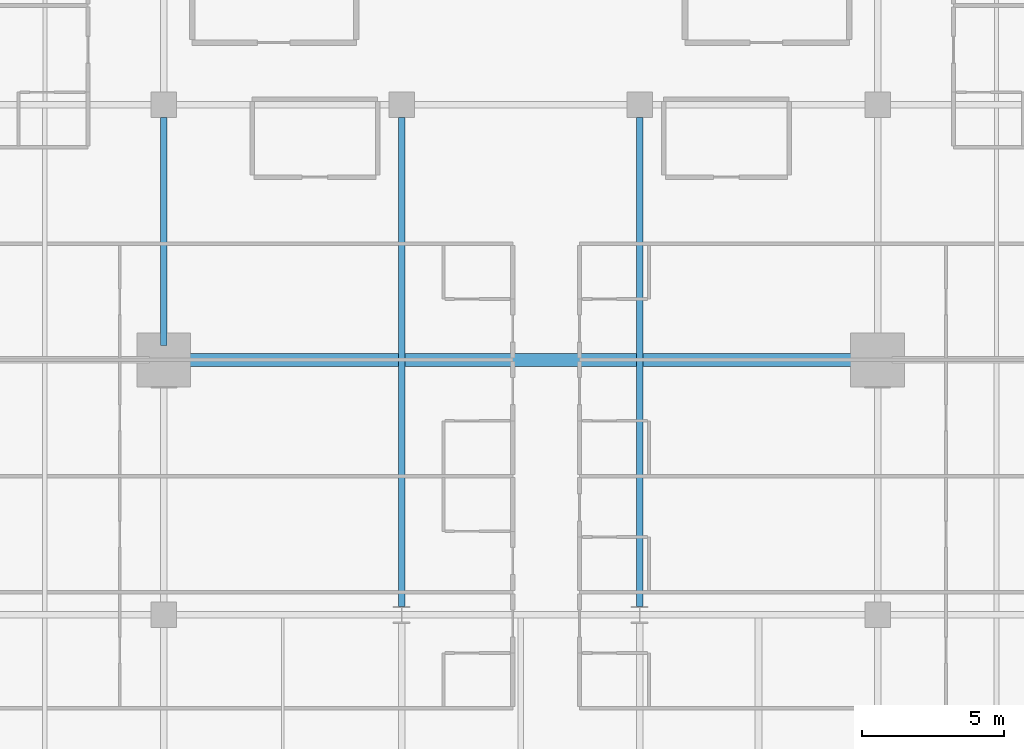
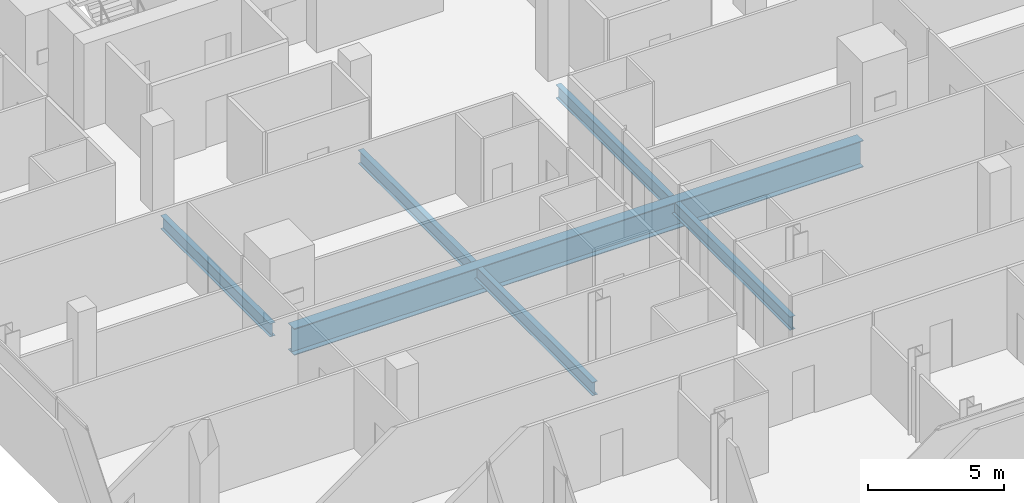
# One storey, part 11 of 34: 4 beams.
"""IFC4 building model written with IfcOpenShell, lengths in metres."""

from ifc_helpers import new_model, si_unit, direction, frame, origin, origin_2d, place, context, subcontext, project, spatial, i_section, extrude, material, material_profile, profile_set, type_object, element, save


model = new_model("IFC4")

# Units and contexts
model_context = context("Model", 3, precision=1e-05, world=origin(), true_north=direction((0.0, 1.0)))
body_context = subcontext(model_context, "Body", "Model", "MODEL_VIEW")
ifc_project = project(units=[si_unit("LENGTHUNIT", "METRE"), si_unit("AREAUNIT", "SQUARE_METRE"), si_unit("VOLUMEUNIT", "CUBIC_METRE"), si_unit("PLANEANGLEUNIT", "RADIAN"), si_unit("MASSUNIT", "GRAM", prefix="KILO")], contexts=[model_context])

# Site, building, storey
site_placement = place(None, origin())
site = spatial("IfcSite", under=ifc_project, at=site_placement, CompositionType="ELEMENT")
building_placement = place(site_placement, origin())
building = spatial("IfcBuilding", under=site, at=building_placement, Name="Maruvema Waterfront Hotel and Observation Tower", CompositionType="ELEMENT")
storey_placement = place(building_placement, frame((0.0, 0.0, 177.449951171875)))
storey = spatial("IfcBuildingStorey", under=building, at=storey_placement, Name="L43", CompositionType="ELEMENT", Elevation=177.449951171875)

# Beams
ifc_material_1 = material(Name="Steel ASTM A572 Grade 50", Category="steel")
ifc_material_profile_1 = material_profile(ifc_material_1, i_section(OverallWidth=0.22802734375, OverallDepth=0.60302734375, WebThickness=0.010498046875, FlangeThickness=0.014892578125, FilletRadius=0.01806640625, at=origin_2d()), Name="W610x101.0")
ifc_profile_set_1 = profile_set([ifc_material_profile_1], Name="Steel ASTM A572 Grade 50")
beam_type_1 = type_object("IfcBeamType", Name="Primary Floor Girder W610x101.0", PredefinedType="BEAM", material=ifc_profile_set_1)
beam_1_placement = place(storey_placement, frame((25.199951171875, 27.5, -0.54150390625), z_axis=(0.0, 1.0, 0.0), x_axis=(-1.0, 0.0, 0.0)))
element("IfcBeam", 1, at=beam_1_placement, inside=storey, type_object=beam_type_1, Name="L43 Floor Girder NS-12", PredefinedType="BEAM", context=body_context, shape_type="SweptSolid", body=[
    extrude(i_section(OverallWidth=0.22802734375, OverallDepth=0.60302734375, WebThickness=0.010498046875, FlangeThickness=0.014892578125, FilletRadius=0.01806640625, at=origin_2d()), origin(), (0.0, 0.0, 1.0), 8.050048828125),
])
for number, where, z_axis, x_axis, name in (
    (2, (33.60009765625, 18.300048828125, -0.54150390625), (0.0, 1.0, 0.0), (-1.0, 0.0, 0.0), "L43 Floor Girder NS-16"),
    (3, (42.0, 18.300048828125, -0.54150390625), (0.0, 1.0, 0.0), (-1.0, 0.0, 0.0), "L43 Floor Girder NS-19"),
):
    element("IfcBeam", number, at=place(storey_placement, frame(where, z_axis=z_axis, x_axis=x_axis)), inside=storey, type_object=beam_type_1, Name=name, PredefinedType="BEAM", context=body_context, shape_type="SweptSolid", body=[
        extrude(i_section(OverallWidth=0.22802734375, OverallDepth=0.60302734375, WebThickness=0.010498046875, FlangeThickness=0.014892578125, FilletRadius=0.01806640625, at=origin_2d()), origin(), (0.0, 0.0, 1.0), 17.25),
    ])
ifc_material_2 = material(Name="Steel ABNT NBR 7007 AR 415 (ASTM A572 Grade 50)", Category="steel")
ifc_material_profile_2 = material_profile(ifc_material_2, i_section(OverallWidth=0.449951171875, OverallDepth=1.199951171875, WebThickness=0.01904296875, FlangeThickness=0.031982421875, at=origin_2d()), Name="VS1200x366")
ifc_profile_set_2 = profile_set([ifc_material_profile_2], Name="Steel ABNT NBR 7007 AR 415 (ASTM A572 Grade 50)")
beam_type_2 = type_object("IfcBeamType", Name="Upper Setback Transfer Girder VS1200x366", PredefinedType="USERDEFINED", material=ifc_profile_set_2)
beam_2_placement = place(storey_placement, frame((25.699951171875, 27.0, -0.83984375), z_axis=(1.0, 0.0, 0.0), x_axis=(0.0, 1.0, 0.0)))
element("IfcBeam", 4, at=beam_2_placement, inside=storey, type_object=beam_type_2, Name="L43 Floor Girder EW-20", ObjectType="TRANSFER GIRDER", PredefinedType="USERDEFINED", context=body_context, shape_type="SweptSolid", body=[
    extrude(i_section(OverallWidth=0.449951171875, OverallDepth=1.199951171875, WebThickness=0.01904296875, FlangeThickness=0.031982421875, at=origin_2d()), origin(), (0.0, 0.0, 1.0), 24.199951171875),
])

save(model, "model.ifc")
